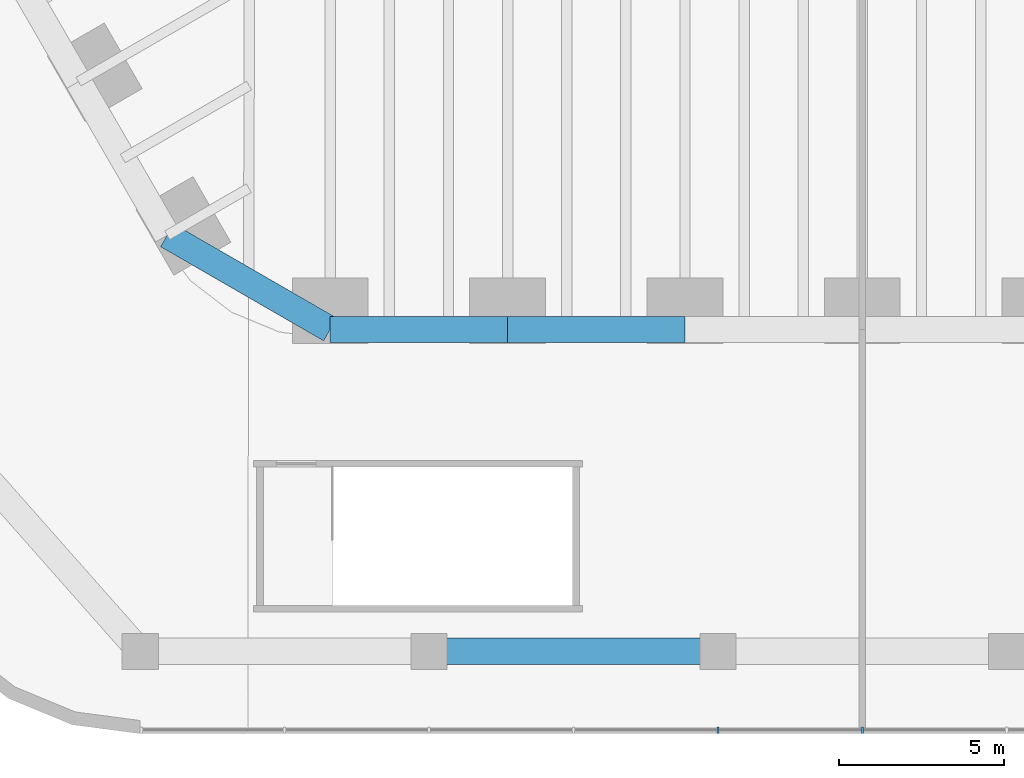
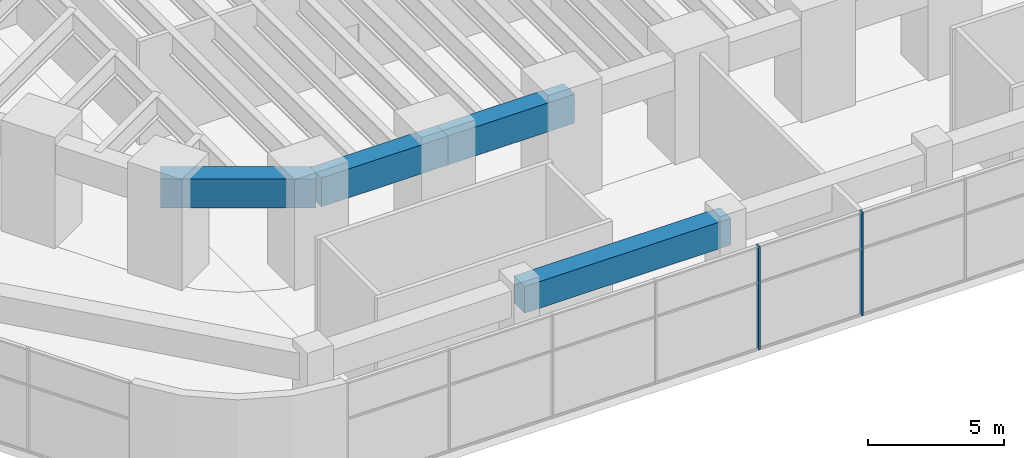
# One storey, part 5 of 31: 4 beams, 2 members, 1 element without a shape of its own.
"""IFC4 building model written with IfcOpenShell, lengths in metres."""

from ifc_helpers import new_model, si_unit, direction, frame, origin, origin_2d, place, context, subcontext, project, spatial, rectangle, extrude, material, material_profile, profile_set, type_object, element, aggregate, save


model = new_model("IFC4")

# Units and contexts
model_context = context("Model", 3, precision=1e-05, world=origin(), true_north=direction((0.0, 1.0)))
body_context = subcontext(model_context, "Body", "Model", "MODEL_VIEW")
ifc_project = project(units=[si_unit("LENGTHUNIT", "METRE"), si_unit("AREAUNIT", "SQUARE_METRE"), si_unit("VOLUMEUNIT", "CUBIC_METRE"), si_unit("PLANEANGLEUNIT", "RADIAN"), si_unit("MASSUNIT", "GRAM", prefix="KILO")], contexts=[model_context])

# Site, building, storey
site_placement = place(None, origin())
site = spatial("IfcSite", under=ifc_project, at=site_placement, CompositionType="ELEMENT")
building_placement = place(site_placement, origin())
building = spatial("IfcBuilding", under=site, at=building_placement, Name="Tarfa Lantern Tower", CompositionType="ELEMENT")
storey_placement = place(building_placement, frame((0.0, 0.0, 18.5)))
storey = spatial("IfcBuildingStorey", under=building, at=storey_placement, Name="L03", CompositionType="ELEMENT", Elevation=18.5)

# Curtain wall, members
ifc_material_1 = material(Name="Aluminium framed curtain wall", Category="aluminium")
curtain_wall_type = type_object("IfcCurtainWallType", Name="CW7 PODIUM GLAZING 4650", PredefinedType="USERDEFINED", material=ifc_material_1)
curtain_wall_placement = place(storey_placement, origin())
curtain_wall = element("IfcCurtainWall", 1, at=curtain_wall_placement, inside=storey, type_object=curtain_wall_type, Name="CW7 S L03", ObjectType="CURTAIN WALL", PredefinedType="USERDEFINED")
ifc_material_2 = material(Name="Aluminium mullion", Category="aluminium")
ifc_material_profile_1 = material_profile(ifc_material_2, rectangle(XDim=0.06494140625, YDim=0.199951171875, at=origin_2d()), Name="AL MULLION 65x200")
ifc_profile_set_1 = profile_set([ifc_material_profile_1], Name="Aluminium mullion")
member_type = type_object("IfcMemberType", Name="CWM1 MULLION 65x200", PredefinedType="MULLION", material=ifc_profile_set_1)
member_1_placement = place(storey_placement, frame((-4.387939453125, -45.89990234375, 0.0), z_axis=(0.0, 0.0, 1.0), x_axis=(1.0, 0.0, 0.0)))
member_1 = element("IfcMember", 2, at=member_1_placement, type_object=member_type, Name="CW7 mullion 5", PredefinedType="MULLION", context=body_context, shape_type="SweptSolid", body=[
    extrude(rectangle(XDim=0.06494140625, YDim=0.199951171875, at=origin_2d()), origin(), (0.0, 0.0, 1.0), 4.64990234375),
])
member_2_placement = place(storey_placement, frame((0.0, -45.89990234375, 0.0), z_axis=(0.0, 0.0, 1.0), x_axis=(1.0, 0.0, 0.0)))
member_2 = element("IfcMember", 3, at=member_2_placement, type_object=member_type, Name="CW7 mullion 6", PredefinedType="MULLION", context=body_context, shape_type="SweptSolid", body=[
    extrude(rectangle(XDim=0.06494140625, YDim=0.199951171875, at=origin_2d()), origin(), (0.0, 0.0, 1.0), 4.64990234375),
])
aggregate(curtain_wall, [member_1, member_2])

# Beams
ifc_material_3 = material(Name="Concrete C80/95", Category="concrete")
ifc_material_profile_2 = material_profile(ifc_material_3, rectangle(XDim=0.800048828125, YDim=1.300048828125, at=origin_2d()), Name="RC 800x1300")
ifc_profile_set_2 = profile_set([ifc_material_profile_2], Name="Concrete C80/95")
beam_type_1 = type_object("IfcBeamType", Name="EB1 RC 800x1300", PredefinedType="SPANDREL", material=ifc_profile_set_2)
beam_1_placement = place(storey_placement, frame((-21.119384765625, -30.860107421875, 4.0), z_axis=(0.866033479681, -0.499986011877, 0.0), x_axis=(0.499986011877, 0.866033479681, 0.0)))
element("IfcBeam", 4, at=beam_1_placement, inside=storey, type_object=beam_type_1, Name="Edge beam SW6", PredefinedType="SPANDREL", context=body_context, shape_type="SweptSolid", body=[
    extrude(rectangle(XDim=0.800048828125, YDim=1.300048828125, at=origin_2d()), origin(), (0.0, 0.0, 1.0), 5.719970703125),
])
beam_2_placement = place(storey_placement, frame((-16.165771484375, -33.719970703125, 4.0), z_axis=(1.0, 0.0, 0.0), x_axis=(0.0, 1.0, 0.0)))
element("IfcBeam", 5, at=beam_2_placement, inside=storey, type_object=beam_type_1, Name="Edge beam S0", PredefinedType="SPANDREL", context=body_context, shape_type="SweptSolid", body=[
    extrude(rectangle(XDim=0.800048828125, YDim=1.300048828125, at=origin_2d()), origin(), (0.0, 0.0, 1.0), 5.388671875),
])
beam_3_placement = place(storey_placement, frame((-10.777099609375, -33.719970703125, 4.0), z_axis=(1.0, 0.0, 0.0), x_axis=(0.0, 1.0, 0.0)))
element("IfcBeam", 6, at=beam_3_placement, inside=storey, type_object=beam_type_1, Name="Edge beam S1", PredefinedType="SPANDREL", context=body_context, shape_type="SweptSolid", body=[
    extrude(rectangle(XDim=0.800048828125, YDim=1.300048828125, at=origin_2d()), origin(), (0.0, 0.0, 1.0), 5.388427734375),
])
ifc_material_profile_3 = material_profile(ifc_material_3, rectangle(XDim=0.800048828125, YDim=1.199951171875, at=origin_2d()), Name="RC 800x1200")
ifc_profile_set_3 = profile_set([ifc_material_profile_3], Name="Concrete C80/95")
beam_type_2 = type_object("IfcBeamType", Name="PB2 RC 800x1200", PredefinedType="BEAM", material=ifc_profile_set_3)
beam_4_placement = place(storey_placement, frame((-13.16357421875, -43.5, 4.050048828125), z_axis=(1.0, 0.0, 0.0), x_axis=(0.0, 1.0, 0.0)))
element("IfcBeam", 7, at=beam_4_placement, inside=storey, type_object=beam_type_2, Name="Podium ring beam S1", PredefinedType="BEAM", context=body_context, shape_type="SweptSolid", body=[
    extrude(rectangle(XDim=0.800048828125, YDim=1.199951171875, at=origin_2d()), origin(), (0.0, 0.0, 1.0), 8.775634765625),
])

save(model, "model.ifc")
